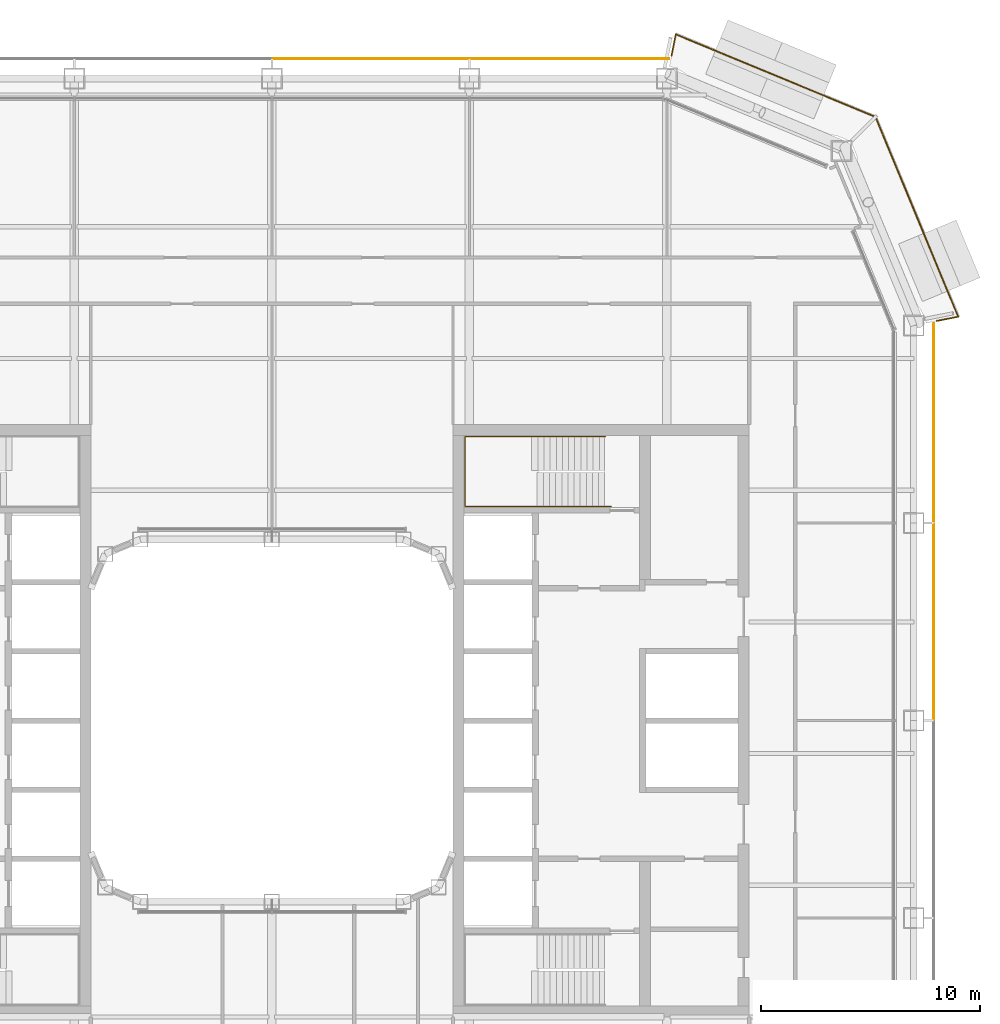
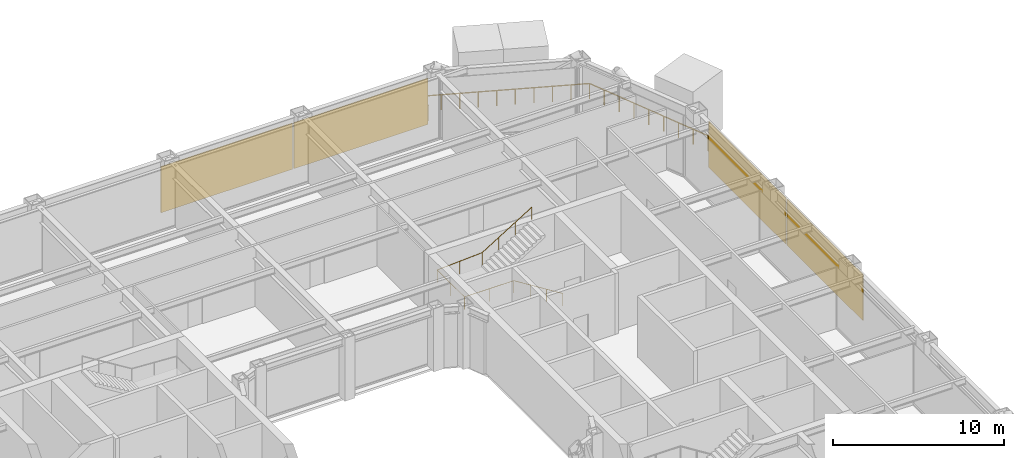
# One storey, part 22 of 23: 4 coverings, 2 railings.
"""IFC4 building model written with IfcOpenShell, lengths in metres."""

from ifc_helpers import new_model, si_unit, direction, frame, origin, origin_2d, place, context, subcontext, project, spatial, rectangle, circle, extrude, material, layer, layer_set, type_object, element, save


model = new_model("IFC4")

# Units and contexts
model_context = context("Model", 3, precision=1e-05, world=origin(), true_north=direction((0.0, 1.0)))
body_context = subcontext(model_context, "Body", "Model", "MODEL_VIEW")
ifc_project = project(units=[si_unit("LENGTHUNIT", "METRE"), si_unit("AREAUNIT", "SQUARE_METRE"), si_unit("VOLUMEUNIT", "CUBIC_METRE"), si_unit("PLANEANGLEUNIT", "RADIAN"), si_unit("MASSUNIT", "GRAM", prefix="KILO")], contexts=[model_context])

# Site, building, storey
site_placement = place(None, origin())
site = spatial("IfcSite", under=ifc_project, at=site_placement, CompositionType="ELEMENT")
building_placement = place(site_placement, origin())
building = spatial("IfcBuilding", under=site, at=building_placement, Name="Siwar Civic Tower", CompositionType="ELEMENT")
storey_placement = place(building_placement, frame((0.0, 0.0, 131.699951171875)))
storey = spatial("IfcBuildingStorey", under=building, at=storey_placement, Name="L28", CompositionType="ELEMENT", Elevation=131.699951171875)

# Railings
ifc_material_1 = material(Name="Stainless steel", Category="steel")
railing_type_1 = type_object("IfcRailingType", Name="CORE-STAIR-HANDRAIL", PredefinedType="HANDRAIL", material=ifc_material_1)
railing_1_placement = place(storey_placement, frame((15.449951171875, 9.758056640625, 0.173095703125)))
element("IfcRailing", 1, at=railing_1_placement, inside=storey, type_object=railing_type_1, Name="Stair handrail ST3", PredefinedType="HANDRAIL", context=body_context, shape_type="SweptSolid", body=[
    extrude(circle(Radius=0.02001953125, at=origin_2d()), frame((0.0, 0.0, 0.8798828125), z_axis=(-0.847063342986, 0.0, 0.531491950051), x_axis=(0.0, -1.0, 0.0)), (0.0, 0.0, 1.0), 3.90771484375),
    extrude(circle(Radius=0.02001953125, at=origin_2d()), frame((-3.31005859375, 0.0, 2.956787109375), z_axis=(-1.0, 0.0, 0.0), x_axis=(0.0, -1.0, 0.0)), (0.0, 0.0, 1.0), 3.331787109375),
    extrude(circle(Radius=0.02001953125, at=origin_2d()), frame((-6.641845703125, 0.0, 2.956787109375), z_axis=(0.0, 1.0, 0.0), x_axis=(-1.0, 0.0, 0.0)), (0.0, 0.0, 1.0), 3.183837890625),
    extrude(circle(Radius=0.02001953125, at=origin_2d()), frame((-6.641845703125, 3.183837890625, 2.956787109375), z_axis=(0.99837434197, 0.0, 0.056997134106), x_axis=(0.0, 1.0, 0.0)), (0.0, 0.0, 1.0), 3.036865234375),
    extrude(circle(Radius=0.02001953125, at=origin_2d()), frame((-3.60986328125, 3.183837890625, 3.1298828125), z_axis=(0.850606129759, 0.0, 0.525803396734), x_axis=(0.0, 1.0, 0.0)), (0.0, 0.0, 1.0), 3.949951171875),
    extrude(circle(Radius=0.02001953125, at=origin_2d()), origin(), (0.0, 0.0, 1.0), 0.85986328125),
    extrude(circle(Radius=0.02001953125, at=origin_2d()), frame((-1.103271484375, 0.0, 0.6923828125)), (0.0, 0.0, 1.0), 0.85986328125),
    extrude(circle(Radius=0.02001953125, at=origin_2d()), frame((-2.206787109375, 0.0, 1.384521484375)), (0.0, 0.0, 1.0), 0.85986328125),
    extrude(circle(Radius=0.02001953125, at=origin_2d()), frame((-3.31005859375, 0.0, 2.076904296875)), (0.0, 0.0, 1.0), 0.85986328125),
    extrude(circle(Radius=0.02001953125, at=origin_2d()), frame((-4.97607421875, 0.0, 2.076904296875)), (0.0, 0.0, 1.0), 0.85986328125),
    extrude(circle(Radius=0.02001953125, at=origin_2d()), frame((-6.641845703125, 0.0, 2.076904296875)), (0.0, 0.0, 1.0), 0.85986328125),
    extrude(circle(Radius=0.02001953125, at=origin_2d()), frame((-6.641845703125, 1.591796875, 2.076904296875)), (0.0, 0.0, 1.0), 0.85986328125),
    extrude(circle(Radius=0.02001953125, at=origin_2d()), frame((-6.641845703125, 3.183837890625, 2.076904296875)), (0.0, 0.0, 1.0), 0.85986328125),
    extrude(circle(Radius=0.02001953125, at=origin_2d()), frame((-5.1259765625, 3.183837890625, 2.16357421875)), (0.0, 0.0, 1.0), 0.85986328125),
    extrude(circle(Radius=0.02001953125, at=origin_2d()), frame((-3.60986328125, 3.183837890625, 2.25)), (0.0, 0.0, 1.0), 0.85986328125),
    extrude(circle(Radius=0.02001953125, at=origin_2d()), frame((-2.489990234375, 3.183837890625, 2.9423828125)), (0.0, 0.0, 1.0), 0.85986328125),
    extrude(circle(Radius=0.02001953125, at=origin_2d()), frame((-1.369873046875, 3.183837890625, 3.634521484375)), (0.0, 0.0, 1.0), 0.85986328125),
    extrude(circle(Radius=0.02001953125, at=origin_2d()), frame((-0.25, 3.183837890625, 4.326904296875)), (0.0, 0.0, 1.0), 0.85986328125),
])
ifc_material_2 = material(Name="Stainless steel 316", Category="steel")
railing_type_2 = type_object("IfcRailingType", Name="ENV-GUARD", PredefinedType="GUARDRAIL", material=ifc_material_2)
railing_2_placement = place(storey_placement, frame((30.297119140625, 18.208251953125, 0.0)))
element("IfcRailing", 2, at=railing_2_placement, inside=storey, type_object=railing_type_2, Name="Balcony guard NE", PredefinedType="GUARDRAIL", context=body_context, shape_type="SweptSolid", body=[
    extrude(circle(Radius=0.02392578125, at=origin_2d()), frame((0.0, 0.0, 1.076171875), z_axis=(0.980778661911, 0.195123592472, 0.0), x_axis=(-0.195123592472, 0.980778661911, 0.0)), (0.0, 0.0, 1.0), 0.993408203125),
    extrude(circle(Radius=0.02392578125, at=origin_2d()), frame((0.974365234375, 0.19384765625, 1.076171875), z_axis=(-0.38225621169, 0.924056377406, 0.0), x_axis=(-0.924056377406, -0.38225621169, 0.0)), (0.0, 0.0, 1.0), 9.851806640625),
    extrude(circle(Radius=0.02392578125, at=origin_2d()), frame((-2.79150390625, 9.29736328125, 1.076171875), z_axis=(-0.924056377406, 0.38225621169, 0.0), x_axis=(-0.38225621169, -0.924056377406, 0.0)), (0.0, 0.0, 1.0), 9.851806640625),
    extrude(circle(Radius=0.02392578125, at=origin_2d()), frame((-11.89501953125, 13.063232421875, 1.076171875), z_axis=(-0.195123592472, -0.980778661911, 0.0), x_axis=(0.980778661911, -0.195123592472, 0.0)), (0.0, 0.0, 1.0), 0.993408203125),
    extrude(circle(Radius=0.02099609375, at=origin_2d()), origin(), (0.0, 0.0, 1.0), 1.052001953125),
    extrude(circle(Radius=0.02099609375, at=origin_2d()), frame((0.974365234375, 0.19384765625, 0.0)), (0.0, 0.0, 1.0), 1.052001953125),
    extrude(circle(Radius=0.02099609375, at=origin_2d()), frame((0.555908203125, 1.205322265625, 0.0)), (0.0, 0.0, 1.0), 1.052001953125),
    extrude(circle(Radius=0.02099609375, at=origin_2d()), frame((0.137451171875, 2.216796875, 0.0)), (0.0, 0.0, 1.0), 1.052001953125),
    extrude(circle(Radius=0.02099609375, at=origin_2d()), frame((-0.281005859375, 3.228271484375, 0.0)), (0.0, 0.0, 1.0), 1.052001953125),
    extrude(circle(Radius=0.02099609375, at=origin_2d()), frame((-0.699462890625, 4.23974609375, 0.0)), (0.0, 0.0, 1.0), 1.052001953125),
    extrude(circle(Radius=0.02099609375, at=origin_2d()), frame((-1.11767578125, 5.25146484375, 0.0)), (0.0, 0.0, 1.0), 1.052001953125),
    extrude(circle(Radius=0.02099609375, at=origin_2d()), frame((-1.5361328125, 6.262939453125, 0.0)), (0.0, 0.0, 1.0), 1.052001953125),
    extrude(circle(Radius=0.02099609375, at=origin_2d()), frame((-1.95458984375, 7.2744140625, 0.0)), (0.0, 0.0, 1.0), 1.052001953125),
    extrude(circle(Radius=0.02099609375, at=origin_2d()), frame((-2.373046875, 8.285888671875, 0.0)), (0.0, 0.0, 1.0), 1.052001953125),
    extrude(circle(Radius=0.02099609375, at=origin_2d()), frame((-2.79150390625, 9.29736328125, 0.0)), (0.0, 0.0, 1.0), 1.052001953125),
    extrude(circle(Radius=0.02099609375, at=origin_2d()), frame((-3.802978515625, 9.7158203125, 0.0)), (0.0, 0.0, 1.0), 1.052001953125),
    extrude(circle(Radius=0.02099609375, at=origin_2d()), frame((-4.814453125, 10.13427734375, 0.0)), (0.0, 0.0, 1.0), 1.052001953125),
    extrude(circle(Radius=0.02099609375, at=origin_2d()), frame((-5.825927734375, 10.552734375, 0.0)), (0.0, 0.0, 1.0), 1.052001953125),
    extrude(circle(Radius=0.02099609375, at=origin_2d()), frame((-6.83740234375, 10.97119140625, 0.0)), (0.0, 0.0, 1.0), 1.052001953125),
    extrude(circle(Radius=0.02099609375, at=origin_2d()), frame((-7.84912109375, 11.389404296875, 0.0)), (0.0, 0.0, 1.0), 1.052001953125),
    extrude(circle(Radius=0.02099609375, at=origin_2d()), frame((-8.860595703125, 11.807861328125, 0.0)), (0.0, 0.0, 1.0), 1.052001953125),
    extrude(circle(Radius=0.02099609375, at=origin_2d()), frame((-9.8720703125, 12.226318359375, 0.0)), (0.0, 0.0, 1.0), 1.052001953125),
    extrude(circle(Radius=0.02099609375, at=origin_2d()), frame((-10.883544921875, 12.644775390625, 0.0)), (0.0, 0.0, 1.0), 1.052001953125),
    extrude(circle(Radius=0.02099609375, at=origin_2d()), frame((-11.89501953125, 13.063232421875, 0.0)), (0.0, 0.0, 1.0), 1.052001953125),
    extrude(circle(Radius=0.02099609375, at=origin_2d()), frame((-12.0888671875, 12.0888671875, 0.0)), (0.0, 0.0, 1.0), 1.052001953125),
])

# Coverings
ifc_material_3 = material(Name="Perforated aluminium cassette, pale metal", Category="aluminium")
ifc_layer = layer(ifc_material_3, 0.0400390625)
ifc_layer_set = layer_set([ifc_layer], Name="Perforated aluminium cassette, pale metal")
covering_type = type_object("IfcCoveringType", Name="ENV-OUTER SKIN OS-1", PredefinedType="CLADDING", material=ifc_layer_set)
covering_1_placement = place(storey_placement, frame((30.14990234375, 4.5, -0.14990234375), z_axis=(0.0, 0.0, 1.0), x_axis=(0.0, 1.0, 0.0)))
element("IfcCovering", 3, at=covering_1_placement, inside=storey, type_object=covering_type, Name="OUTER SKIN OS-1 E 3", PredefinedType="CLADDING", context=body_context, shape_type="SweptSolid", body=[
    extrude(rectangle(XDim=8.89990234375, YDim=0.0400390625, at=origin_2d()), origin(), (0.0, 0.0, 1.0), 3.300048828125),
])
for number, where, z_axis, x_axis, name in (
    (4, (30.14990234375, 13.57958984375, -0.14990234375), (0.0, 0.0, 1.0), (0.0, 1.0, 0.0), "OUTER SKIN OS-1 E 4"),
    (5, (13.57958984375, 30.14990234375, -0.14990234375), (0.0, 0.0, 1.0), (-1.0, 0.0, 0.0), "OUTER SKIN OS-1 N 1"),
):
    element("IfcCovering", number, at=place(storey_placement, frame(where, z_axis=z_axis, x_axis=x_axis)), inside=storey, type_object=covering_type, Name=name, PredefinedType="CLADDING", context=body_context, shape_type="SweptSolid", body=[
        extrude(rectangle(XDim=9.05908203125, YDim=0.0400390625, at=origin_2d()), origin(), (0.0, 0.0, 1.0), 3.300048828125),
    ])
covering_2_placement = place(storey_placement, frame((4.5, 30.14990234375, -0.14990234375), z_axis=(0.0, 0.0, 1.0), x_axis=(-1.0, 0.0, 0.0)))
element("IfcCovering", 6, at=covering_2_placement, inside=storey, type_object=covering_type, Name="OUTER SKIN OS-1 N 2", PredefinedType="CLADDING", context=body_context, shape_type="SweptSolid", body=[
    extrude(rectangle(XDim=8.89990234375, YDim=0.0400390625, at=origin_2d()), origin(), (0.0, 0.0, 1.0), 3.300048828125),
])

save(model, "model.ifc")
